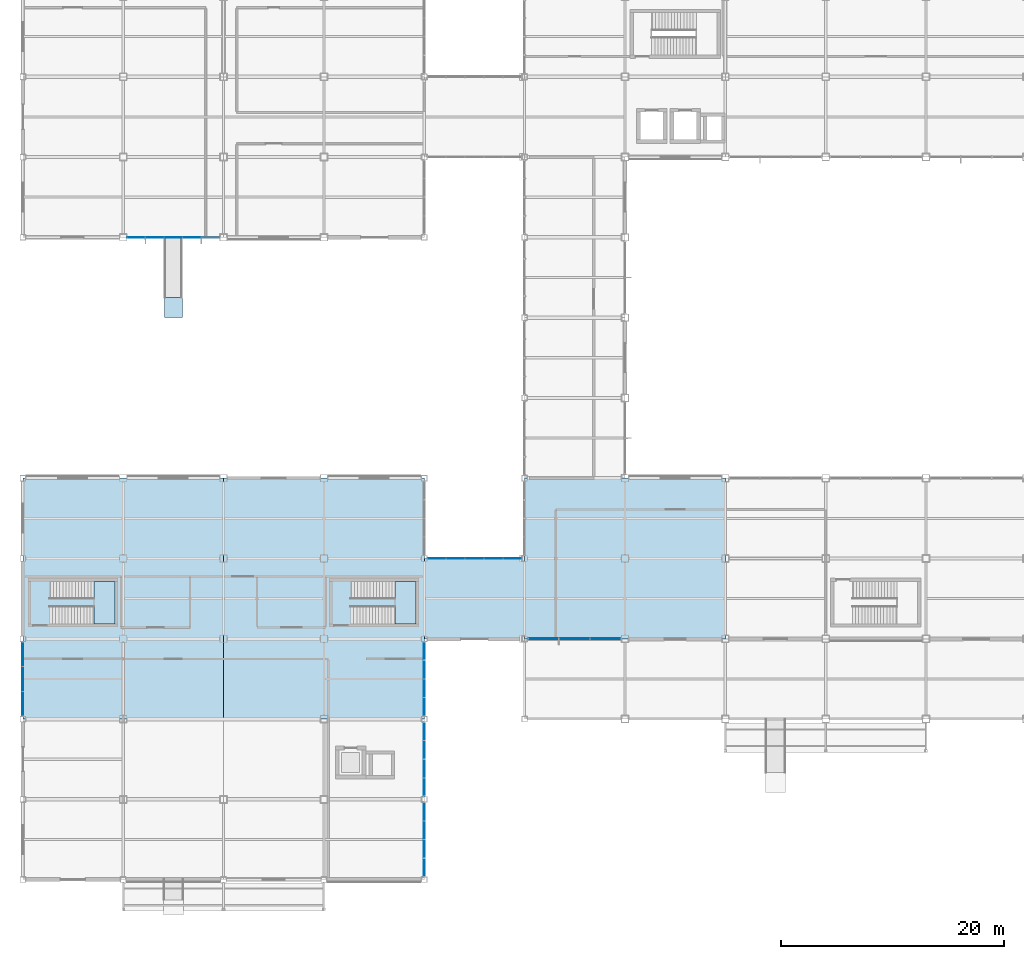
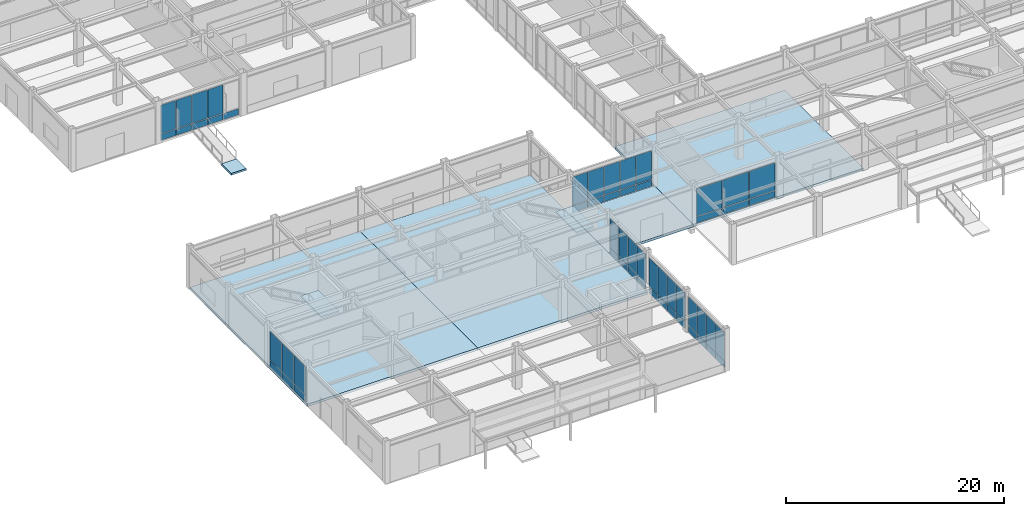
# One storey, part 79 of 112: 55 plates, 7 slabs, 10 elements without a shape of their own.
"""IFC4 building model written with IfcOpenShell, lengths in metres."""

from ifc_helpers import new_model, si_unit, direction, frame, origin, origin_2d, place, context, subcontext, project, spatial, polyline, rectangle, outline, extrude, material, layer, layer_set, type_object, element, aggregate, save


model = new_model("IFC4")

# Units and contexts
model_context = context("Model", 3, precision=1e-05, world=origin(), true_north=direction((0.0, 1.0)))
body_context = subcontext(model_context, "Body", "Model", "MODEL_VIEW")
ifc_project = project(units=[si_unit("LENGTHUNIT", "METRE"), si_unit("AREAUNIT", "SQUARE_METRE"), si_unit("VOLUMEUNIT", "CUBIC_METRE"), si_unit("PLANEANGLEUNIT", "RADIAN"), si_unit("MASSUNIT", "GRAM", prefix="KILO")], contexts=[model_context])

# Site, building, storey
site_placement = place(None, origin())
site = spatial("IfcSite", under=ifc_project, at=site_placement, CompositionType="ELEMENT")
building_placement = place(site_placement, origin())
building = spatial("IfcBuilding", under=site, at=building_placement, Name="Kazanami Central Library", CompositionType="ELEMENT")
storey_placement = place(building_placement, origin())
storey = spatial("IfcBuildingStorey", under=building, at=storey_placement, Name="L01", CompositionType="ELEMENT", Elevation=0.0)

# Curtain wall, plates
ifc_material_1 = material(Name="Acid-Etched Low-E Laminated Glass", Category="glass")
curtain_wall_type_1 = type_object("IfcCurtainWallType", Name="CW-8425x3955-M275", PredefinedType="USERDEFINED", material=ifc_material_1)
curtain_wall_1_placement = place(storey_placement, origin())
curtain_wall_1 = element("IfcCurtainWall", 1, at=curtain_wall_1_placement, inside=storey, type_object=curtain_wall_type_1, Name="Unitised Curtain Wall CW-01 L01 S-D-05", ObjectType="UNITISED CURTAIN WALL", PredefinedType="USERDEFINED")
ifc_layer_1 = layer(ifc_material_1, 0.0439453125, Name="Acid-Etched Low-E Laminated Glass")
ifc_layer_set_1 = layer_set([ifc_layer_1], Name="Acid-Etched Low-E Laminated Glass")
plate_type_1 = type_object("IfcPlateType", Name="PLT-CW-P2", PredefinedType="CURTAIN_PANEL", material=ifc_layer_set_1)
plate_1_placement = place(storey_placement, frame((46.671630859375, 21.60009765625, 0.81494140625), z_axis=(0.0, 0.0, 1.0), x_axis=(1.0, 0.0, 0.0)))
plate_1 = element("IfcPlate", 2, at=plate_1_placement, type_object=plate_type_1, Name="CW-01 panel 1.2", PredefinedType="CURTAIN_PANEL", context=body_context, shape_type="SweptSolid", body=[
    extrude(rectangle(XDim=2.703369140625, YDim=0.0439453125, at=origin_2d()), origin(), (0.0, 0.0, 1.0), 3.070068359375),
])
plate_2_placement = place(storey_placement, frame((49.46240234375, 21.60009765625, 0.81494140625), z_axis=(0.0, 0.0, 1.0), x_axis=(1.0, 0.0, 0.0)))
plate_2 = element("IfcPlate", 3, at=plate_2_placement, type_object=plate_type_1, Name="CW-01 panel 2.2", PredefinedType="CURTAIN_PANEL", context=body_context, shape_type="SweptSolid", body=[
    extrude(rectangle(XDim=2.73828125, YDim=0.0439453125, at=origin_2d()), origin(), (0.0, 0.0, 1.0), 3.070068359375),
])
plate_3_placement = place(storey_placement, frame((52.25341796875, 21.60009765625, 0.81494140625), z_axis=(0.0, 0.0, 1.0), x_axis=(1.0, 0.0, 0.0)))
plate_3 = element("IfcPlate", 4, at=plate_3_placement, type_object=plate_type_1, Name="CW-01 panel 3.2", PredefinedType="CURTAIN_PANEL", context=body_context, shape_type="SweptSolid", body=[
    extrude(rectangle(XDim=2.703369140625, YDim=0.0439453125, at=origin_2d()), origin(), (0.0, 0.0, 1.0), 3.070068359375),
])

curtain_wall_type_2 = type_object("IfcCurtainWallType", Name="CW-8350x4055-M180", PredefinedType="USERDEFINED", material=ifc_material_1)
curtain_wall_2_placement = place(storey_placement, origin())
curtain_wall_2 = element("IfcCurtainWall", 5, at=curtain_wall_2_placement, inside=storey, type_object=curtain_wall_type_2, Name="Unitised Curtain Wall CW-05 L01 S-J-01", ObjectType="UNITISED CURTAIN WALL", PredefinedType="USERDEFINED")
plate_4_placement = place(storey_placement, frame((10.175048828125, 57.60009765625, 0.81005859375), z_axis=(0.0, 0.0, 1.0), x_axis=(1.0, 0.0, 0.0)))
plate_4 = element("IfcPlate", 6, at=plate_4_placement, type_object=plate_type_1, Name="CW-05 panel 1.2", PredefinedType="CURTAIN_PANEL", context=body_context, shape_type="SweptSolid", body=[
    extrude(rectangle(XDim=1.580078125, YDim=0.0439453125, at=origin_2d()), origin(), (0.0, 0.0, 1.0), 3.18505859375),
])
plate_5_placement = place(storey_placement, frame((11.830078125, 57.60009765625, 0.81005859375), z_axis=(0.0, 0.0, 1.0), x_axis=(1.0, 0.0, 0.0)))
plate_5 = element("IfcPlate", 7, at=plate_5_placement, type_object=plate_type_1, Name="CW-05 panel 2.2", PredefinedType="CURTAIN_PANEL", context=body_context, shape_type="SweptSolid", body=[
    extrude(rectangle(XDim=1.610107421875, YDim=0.0439453125, at=origin_2d()), origin(), (0.0, 0.0, 1.0), 3.18505859375),
])
plate_6_placement = place(storey_placement, frame((13.5, 57.60009765625, 0.81005859375), z_axis=(0.0, 0.0, 1.0), x_axis=(1.0, 0.0, 0.0)))
plate_6 = element("IfcPlate", 8, at=plate_6_placement, type_object=plate_type_1, Name="CW-05 panel 3.2", PredefinedType="CURTAIN_PANEL", context=body_context, shape_type="SweptSolid", body=[
    extrude(rectangle(XDim=1.610107421875, YDim=0.0439453125, at=origin_2d()), origin(), (0.0, 0.0, 1.0), 3.18505859375),
])
plate_7_placement = place(storey_placement, frame((15.169921875, 57.60009765625, 0.81005859375), z_axis=(0.0, 0.0, 1.0), x_axis=(1.0, 0.0, 0.0)))
plate_7 = element("IfcPlate", 9, at=plate_7_placement, type_object=plate_type_1, Name="CW-05 panel 4.2", PredefinedType="CURTAIN_PANEL", context=body_context, shape_type="SweptSolid", body=[
    extrude(rectangle(XDim=1.610107421875, YDim=0.0439453125, at=origin_2d()), origin(), (0.0, 0.0, 1.0), 3.18505859375),
])

curtain_wall_type_3 = type_object("IfcCurtainWallType", Name="CW-8500x4055-M180", PredefinedType="USERDEFINED", material=ifc_material_1)
curtain_wall_3_placement = place(storey_placement, origin())
curtain_wall_3 = element("IfcCurtainWall", 10, at=curtain_wall_3_placement, inside=storey, type_object=curtain_wall_type_3, Name="Covered Link Bridge Curtain Wall CW-02 L01 N-E-04", ObjectType="UNITISED CURTAIN WALL", PredefinedType="USERDEFINED")
ifc_material_2 = material(Name="Low-E Insulated Triple Glass", Category="glass")
ifc_layer_2 = layer(ifc_material_2, 0.0400390625, Name="Low-E Insulated Triple Glass")
ifc_layer_set_2 = layer_set([ifc_layer_2], Name="Low-E Insulated Triple Glass")
plate_type_2 = type_object("IfcPlateType", Name="PLT-CW-P3", PredefinedType="CURTAIN_PANEL", material=ifc_layer_set_2)
plate_8_placement = place(storey_placement, frame((43.885009765625, 28.800048828125, 0.81005859375), z_axis=(0.0, 0.0, 1.0), x_axis=(-1.0, 0.0, 0.0)))
plate_8 = element("IfcPlate", 11, at=plate_8_placement, type_object=plate_type_2, Name="CW-02 panel 1.2", PredefinedType="CURTAIN_PANEL", context=body_context, shape_type="SweptSolid", body=[
    extrude(rectangle(XDim=1.610107421875, YDim=0.0400390625, at=origin_2d()), origin(), (0.0, 0.0, 1.0), 3.18505859375),
])
plate_9_placement = place(storey_placement, frame((42.199951171875, 28.800048828125, 0.81005859375), z_axis=(0.0, 0.0, 1.0), x_axis=(-1.0, 0.0, 0.0)))
plate_9 = element("IfcPlate", 12, at=plate_9_placement, type_object=plate_type_2, Name="CW-02 panel 2.2", PredefinedType="CURTAIN_PANEL", context=body_context, shape_type="SweptSolid", body=[
    extrude(rectangle(XDim=1.639892578125, YDim=0.0400390625, at=origin_2d()), origin(), (0.0, 0.0, 1.0), 3.18505859375),
])
plate_10_placement = place(storey_placement, frame((40.5, 28.800048828125, 0.81005859375), z_axis=(0.0, 0.0, 1.0), x_axis=(-1.0, 0.0, 0.0)))
plate_10 = element("IfcPlate", 13, at=plate_10_placement, type_object=plate_type_2, Name="CW-02 panel 3.2", PredefinedType="CURTAIN_PANEL", context=body_context, shape_type="SweptSolid", body=[
    extrude(rectangle(XDim=1.639892578125, YDim=0.0400390625, at=origin_2d()), origin(), (0.0, 0.0, 1.0), 3.18505859375),
])
plate_11_placement = place(storey_placement, frame((38.800048828125, 28.800048828125, 0.81005859375), z_axis=(0.0, 0.0, 1.0), x_axis=(-1.0, 0.0, 0.0)))
plate_11 = element("IfcPlate", 14, at=plate_11_placement, type_object=plate_type_2, Name="CW-02 panel 4.2", PredefinedType="CURTAIN_PANEL", context=body_context, shape_type="SweptSolid", body=[
    extrude(rectangle(XDim=1.639892578125, YDim=0.0400390625, at=origin_2d()), origin(), (0.0, 0.0, 1.0), 3.18505859375),
])
plate_12_placement = place(storey_placement, frame((37.114990234375, 28.800048828125, 0.81005859375), z_axis=(0.0, 0.0, 1.0), x_axis=(-1.0, 0.0, 0.0)))
plate_12 = element("IfcPlate", 15, at=plate_12_placement, type_object=plate_type_2, Name="CW-02 panel 5.2", PredefinedType="CURTAIN_PANEL", context=body_context, shape_type="SweptSolid", body=[
    extrude(rectangle(XDim=1.610107421875, YDim=0.0400390625, at=origin_2d()), origin(), (0.0, 0.0, 1.0), 3.18505859375),
])

curtain_wall_type_4 = type_object("IfcCurtainWallType", Name="CW-6700x4055-M225", PredefinedType="USERDEFINED", material=ifc_material_1)
curtain_wall_4_placement = place(storey_placement, origin())
curtain_wall_4 = element("IfcCurtainWall", 16, at=curtain_wall_4_placement, inside=storey, type_object=curtain_wall_type_4, Name="Unitised Curtain Wall CW-08 L01 W-1-02", ObjectType="UNITISED CURTAIN WALL", PredefinedType="USERDEFINED")
plate_13_placement = place(storey_placement, frame((0.0, 15.782958984375, 0.8125), z_axis=(0.0, 0.0, 1.0), x_axis=(0.0, 1.0, 0.0)))
plate_13 = element("IfcPlate", 17, at=plate_13_placement, type_object=plate_type_2, Name="CW-08 panel 1.2", PredefinedType="CURTAIN_PANEL", context=body_context, shape_type="SweptSolid", body=[
    extrude(rectangle(XDim=2.1357421875, YDim=0.0400390625, at=origin_2d()), origin(), (0.0, 0.0, 1.0), 3.177490234375),
])
plate_14_placement = place(storey_placement, frame((0.0, 18.0, 0.8125), z_axis=(0.0, 0.0, 1.0), x_axis=(0.0, 1.0, 0.0)))
plate_14 = element("IfcPlate", 18, at=plate_14_placement, type_object=plate_type_2, Name="CW-08 panel 2.2", PredefinedType="CURTAIN_PANEL", context=body_context, shape_type="SweptSolid", body=[
    extrude(rectangle(XDim=2.168212890625, YDim=0.0400390625, at=origin_2d()), origin(), (0.0, 0.0, 1.0), 3.177490234375),
])
plate_15_placement = place(storey_placement, frame((0.0, 20.217041015625, 0.8125), z_axis=(0.0, 0.0, 1.0), x_axis=(0.0, 1.0, 0.0)))
plate_15 = element("IfcPlate", 19, at=plate_15_placement, type_object=plate_type_2, Name="CW-08 panel 3.2", PredefinedType="CURTAIN_PANEL", context=body_context, shape_type="SweptSolid", body=[
    extrude(rectangle(XDim=2.1357421875, YDim=0.0400390625, at=origin_2d()), origin(), (0.0, 0.0, 1.0), 3.177490234375),
])

curtain_wall_type_5 = type_object("IfcCurtainWallType", Name="CW-6700x4055-M180", PredefinedType="USERDEFINED", material=ifc_material_1)
curtain_wall_5_placement = place(storey_placement, origin())
curtain_wall_5 = element("IfcCurtainWall", 20, at=curtain_wall_5_placement, inside=storey, type_object=curtain_wall_type_5, Name="Covered Link Bridge Curtain Wall CW-09 L01 E-5-00", ObjectType="UNITISED CURTAIN WALL", PredefinedType="USERDEFINED")
plate_16_placement = place(storey_placement, frame((36.0, 6.097412109375, 0.81005859375), z_axis=(0.0, 0.0, 1.0), x_axis=(0.0, -1.0, 0.0)))
plate_16 = element("IfcPlate", 21, at=plate_16_placement, type_object=plate_type_2, Name="CW-09 panel 1.2", PredefinedType="CURTAIN_PANEL", context=body_context, shape_type="SweptSolid", body=[
    extrude(rectangle(XDim=1.5849609375, YDim=0.0400390625, at=origin_2d()), origin(), (0.0, 0.0, 1.0), 3.18505859375),
])
plate_17_placement = place(storey_placement, frame((36.0, 4.4375, 0.81005859375), z_axis=(0.0, 0.0, 1.0), x_axis=(0.0, -1.0, 0.0)))
plate_17 = element("IfcPlate", 22, at=plate_17_placement, type_object=plate_type_2, Name="CW-09 panel 2.2", PredefinedType="CURTAIN_PANEL", context=body_context, shape_type="SweptSolid", body=[
    extrude(rectangle(XDim=1.614990234375, YDim=0.0400390625, at=origin_2d()), origin(), (0.0, 0.0, 1.0), 3.18505859375),
])
plate_18_placement = place(storey_placement, frame((36.0, 2.762451171875, 0.81005859375), z_axis=(0.0, 0.0, 1.0), x_axis=(0.0, -1.0, 0.0)))
plate_18 = element("IfcPlate", 23, at=plate_18_placement, type_object=plate_type_2, Name="CW-09 panel 3.2", PredefinedType="CURTAIN_PANEL", context=body_context, shape_type="SweptSolid", body=[
    extrude(rectangle(XDim=1.614990234375, YDim=0.0400390625, at=origin_2d()), origin(), (0.0, 0.0, 1.0), 3.18505859375),
])
plate_19_placement = place(storey_placement, frame((36.0, 1.1025390625, 0.81005859375), z_axis=(0.0, 0.0, 1.0), x_axis=(0.0, -1.0, 0.0)))
plate_19 = element("IfcPlate", 24, at=plate_19_placement, type_object=plate_type_2, Name="CW-09 panel 4.2", PredefinedType="CURTAIN_PANEL", context=body_context, shape_type="SweptSolid", body=[
    extrude(rectangle(XDim=1.5849609375, YDim=0.0400390625, at=origin_2d()), origin(), (0.0, 0.0, 1.0), 3.18505859375),
])

curtain_wall_6_placement = place(storey_placement, origin())
curtain_wall_6 = element("IfcCurtainWall", 25, at=curtain_wall_6_placement, inside=storey, type_object=curtain_wall_type_5, Name="Covered Link Bridge Curtain Wall CW-09 L01 E-5-01", ObjectType="UNITISED CURTAIN WALL", PredefinedType="USERDEFINED")
plate_20_placement = place(storey_placement, frame((36.0, 13.297607421875, 0.81005859375), z_axis=(0.0, 0.0, 1.0), x_axis=(0.0, -1.0, 0.0)))
plate_20 = element("IfcPlate", 26, at=plate_20_placement, type_object=plate_type_2, Name="CW-09 panel 1.2", PredefinedType="CURTAIN_PANEL", context=body_context, shape_type="SweptSolid", body=[
    extrude(rectangle(XDim=1.5849609375, YDim=0.0400390625, at=origin_2d()), origin(), (0.0, 0.0, 1.0), 3.18505859375),
])
plate_21_placement = place(storey_placement, frame((36.0, 11.637451171875, 0.81005859375), z_axis=(0.0, 0.0, 1.0), x_axis=(0.0, -1.0, 0.0)))
plate_21 = element("IfcPlate", 27, at=plate_21_placement, type_object=plate_type_2, Name="CW-09 panel 2.2", PredefinedType="CURTAIN_PANEL", context=body_context, shape_type="SweptSolid", body=[
    extrude(rectangle(XDim=1.614990234375, YDim=0.0400390625, at=origin_2d()), origin(), (0.0, 0.0, 1.0), 3.18505859375),
])
plate_22_placement = place(storey_placement, frame((36.0, 9.96240234375, 0.81005859375), z_axis=(0.0, 0.0, 1.0), x_axis=(0.0, -1.0, 0.0)))
plate_22 = element("IfcPlate", 28, at=plate_22_placement, type_object=plate_type_2, Name="CW-09 panel 3.2", PredefinedType="CURTAIN_PANEL", context=body_context, shape_type="SweptSolid", body=[
    extrude(rectangle(XDim=1.614990234375, YDim=0.0400390625, at=origin_2d()), origin(), (0.0, 0.0, 1.0), 3.18505859375),
])
plate_23_placement = place(storey_placement, frame((36.0, 8.302490234375, 0.81005859375), z_axis=(0.0, 0.0, 1.0), x_axis=(0.0, -1.0, 0.0)))
plate_23 = element("IfcPlate", 29, at=plate_23_placement, type_object=plate_type_2, Name="CW-09 panel 4.2", PredefinedType="CURTAIN_PANEL", context=body_context, shape_type="SweptSolid", body=[
    extrude(rectangle(XDim=1.5849609375, YDim=0.0400390625, at=origin_2d()), origin(), (0.0, 0.0, 1.0), 3.18505859375),
])

curtain_wall_7_placement = place(storey_placement, origin())
curtain_wall_7 = element("IfcCurtainWall", 30, at=curtain_wall_7_placement, inside=storey, type_object=curtain_wall_type_5, Name="Covered Link Bridge Curtain Wall CW-09 L01 E-5-02", ObjectType="UNITISED CURTAIN WALL", PredefinedType="USERDEFINED")
plate_24_placement = place(storey_placement, frame((36.0, 20.49755859375, 0.81005859375), z_axis=(0.0, 0.0, 1.0), x_axis=(0.0, -1.0, 0.0)))
plate_24 = element("IfcPlate", 31, at=plate_24_placement, type_object=plate_type_2, Name="CW-09 panel 1.2", PredefinedType="CURTAIN_PANEL", context=body_context, shape_type="SweptSolid", body=[
    extrude(rectangle(XDim=1.5849609375, YDim=0.0400390625, at=origin_2d()), origin(), (0.0, 0.0, 1.0), 3.18505859375),
])
plate_25_placement = place(storey_placement, frame((36.0, 18.83740234375, 0.81005859375), z_axis=(0.0, 0.0, 1.0), x_axis=(0.0, -1.0, 0.0)))
plate_25 = element("IfcPlate", 32, at=plate_25_placement, type_object=plate_type_2, Name="CW-09 panel 2.2", PredefinedType="CURTAIN_PANEL", context=body_context, shape_type="SweptSolid", body=[
    extrude(rectangle(XDim=1.614990234375, YDim=0.0400390625, at=origin_2d()), origin(), (0.0, 0.0, 1.0), 3.18505859375),
])
plate_26_placement = place(storey_placement, frame((36.0, 17.16259765625, 0.81005859375), z_axis=(0.0, 0.0, 1.0), x_axis=(0.0, -1.0, 0.0)))
plate_26 = element("IfcPlate", 33, at=plate_26_placement, type_object=plate_type_2, Name="CW-09 panel 3.2", PredefinedType="CURTAIN_PANEL", context=body_context, shape_type="SweptSolid", body=[
    extrude(rectangle(XDim=1.614990234375, YDim=0.0400390625, at=origin_2d()), origin(), (0.0, 0.0, 1.0), 3.18505859375),
])
plate_27_placement = place(storey_placement, frame((36.0, 15.50244140625, 0.81005859375), z_axis=(0.0, 0.0, 1.0), x_axis=(0.0, -1.0, 0.0)))
plate_27 = element("IfcPlate", 34, at=plate_27_placement, type_object=plate_type_2, Name="CW-09 panel 4.2", PredefinedType="CURTAIN_PANEL", context=body_context, shape_type="SweptSolid", body=[
    extrude(rectangle(XDim=1.5849609375, YDim=0.0400390625, at=origin_2d()), origin(), (0.0, 0.0, 1.0), 3.18505859375),
])

# Plate
ifc_material_3 = material(Name="Anodised Aluminium A5052-H32", Category="aluminium")
ifc_layer_3 = layer(ifc_material_3, 0.06005859375, Name="Anodised Aluminium A5052-H32")
ifc_layer_set_3 = layer_set([ifc_layer_3], Name="Anodised Aluminium A5052-H32")
plate_type_3 = type_object("IfcPlateType", Name="PLT-CW-SP1", PredefinedType="CURTAIN_PANEL", material=ifc_layer_set_3)
plate_28_placement = place(storey_placement, frame((46.671630859375, 21.60009765625, 0.06982421875), z_axis=(0.0, 0.0, 1.0), x_axis=(1.0, 0.0, 0.0)))
plate_28 = element("IfcPlate", 35, at=plate_28_placement, type_object=plate_type_3, Name="CW-01 panel 1.1", PredefinedType="CURTAIN_PANEL", context=body_context, shape_type="SweptSolid", body=[
    extrude(rectangle(XDim=2.703369140625, YDim=0.06005859375, at=origin_2d()), origin(), (0.0, 0.0, 1.0), 0.675048828125),
])

plate_29_placement = place(storey_placement, frame((49.46240234375, 21.60009765625, 0.06982421875), z_axis=(0.0, 0.0, 1.0), x_axis=(1.0, 0.0, 0.0)))
plate_29 = element("IfcPlate", 36, at=plate_29_placement, type_object=plate_type_3, Name="CW-01 panel 2.1", PredefinedType="CURTAIN_PANEL", context=body_context, shape_type="SweptSolid", body=[
    extrude(rectangle(XDim=2.73828125, YDim=0.06005859375, at=origin_2d()), origin(), (0.0, 0.0, 1.0), 0.675048828125),
])

plate_30_placement = place(storey_placement, frame((52.25341796875, 21.60009765625, 0.06982421875), z_axis=(0.0, 0.0, 1.0), x_axis=(1.0, 0.0, 0.0)))
plate_30 = element("IfcPlate", 37, at=plate_30_placement, type_object=plate_type_3, Name="CW-01 panel 3.1", PredefinedType="CURTAIN_PANEL", context=body_context, shape_type="SweptSolid", body=[
    extrude(rectangle(XDim=2.703369140625, YDim=0.06005859375, at=origin_2d()), origin(), (0.0, 0.0, 1.0), 0.675048828125),
])

aggregate(curtain_wall_1, [plate_28, plate_1, plate_29, plate_2, plate_30, plate_3])

ifc_layer_4 = layer(ifc_material_3, 0.052001953125, Name="Anodised Aluminium A5052-H32")
ifc_layer_set_4 = layer_set([ifc_layer_4], Name="Anodised Aluminium A5052-H32")
plate_type_4 = type_object("IfcPlateType", Name="PLT-CW-SP2", PredefinedType="CURTAIN_PANEL", material=ifc_layer_set_4)
plate_31_placement = place(storey_placement, frame((43.885009765625, 28.800048828125, 0.06005859375), z_axis=(0.0, 0.0, 1.0), x_axis=(-1.0, 0.0, 0.0)))
plate_31 = element("IfcPlate", 38, at=plate_31_placement, type_object=plate_type_4, Name="CW-02 panel 1.1", PredefinedType="CURTAIN_PANEL", context=body_context, shape_type="SweptSolid", body=[
    extrude(rectangle(XDim=1.610107421875, YDim=0.052001953125, at=origin_2d()), origin(), (0.0, 0.0, 1.0), 0.68994140625),
])

plate_32_placement = place(storey_placement, frame((42.199951171875, 28.800048828125, 0.06005859375), z_axis=(0.0, 0.0, 1.0), x_axis=(-1.0, 0.0, 0.0)))
plate_32 = element("IfcPlate", 39, at=plate_32_placement, type_object=plate_type_4, Name="CW-02 panel 2.1", PredefinedType="CURTAIN_PANEL", context=body_context, shape_type="SweptSolid", body=[
    extrude(rectangle(XDim=1.639892578125, YDim=0.052001953125, at=origin_2d()), origin(), (0.0, 0.0, 1.0), 0.68994140625),
])

plate_33_placement = place(storey_placement, frame((40.5, 28.800048828125, 0.06005859375), z_axis=(0.0, 0.0, 1.0), x_axis=(-1.0, 0.0, 0.0)))
plate_33 = element("IfcPlate", 40, at=plate_33_placement, type_object=plate_type_4, Name="CW-02 panel 3.1", PredefinedType="CURTAIN_PANEL", context=body_context, shape_type="SweptSolid", body=[
    extrude(rectangle(XDim=1.639892578125, YDim=0.052001953125, at=origin_2d()), origin(), (0.0, 0.0, 1.0), 0.68994140625),
])

plate_34_placement = place(storey_placement, frame((38.800048828125, 28.800048828125, 0.06005859375), z_axis=(0.0, 0.0, 1.0), x_axis=(-1.0, 0.0, 0.0)))
plate_34 = element("IfcPlate", 41, at=plate_34_placement, type_object=plate_type_4, Name="CW-02 panel 4.1", PredefinedType="CURTAIN_PANEL", context=body_context, shape_type="SweptSolid", body=[
    extrude(rectangle(XDim=1.639892578125, YDim=0.052001953125, at=origin_2d()), origin(), (0.0, 0.0, 1.0), 0.68994140625),
])

plate_35_placement = place(storey_placement, frame((37.114990234375, 28.800048828125, 0.06005859375), z_axis=(0.0, 0.0, 1.0), x_axis=(-1.0, 0.0, 0.0)))
plate_35 = element("IfcPlate", 42, at=plate_35_placement, type_object=plate_type_4, Name="CW-02 panel 5.1", PredefinedType="CURTAIN_PANEL", context=body_context, shape_type="SweptSolid", body=[
    extrude(rectangle(XDim=1.610107421875, YDim=0.052001953125, at=origin_2d()), origin(), (0.0, 0.0, 1.0), 0.68994140625),
])

aggregate(curtain_wall_3, [plate_31, plate_8, plate_32, plate_9, plate_33, plate_10, plate_34, plate_11, plate_35, plate_12])

plate_36_placement = place(storey_placement, frame((0.0, 15.782958984375, 0.06494140625), z_axis=(0.0, 0.0, 1.0), x_axis=(0.0, 1.0, 0.0)))
plate_36 = element("IfcPlate", 43, at=plate_36_placement, type_object=plate_type_4, Name="CW-08 panel 1.1", PredefinedType="CURTAIN_PANEL", context=body_context, shape_type="SweptSolid", body=[
    extrude(rectangle(XDim=2.1357421875, YDim=0.052001953125, at=origin_2d()), origin(), (0.0, 0.0, 1.0), 0.6826171875),
])

plate_37_placement = place(storey_placement, frame((0.0, 18.0, 0.06494140625), z_axis=(0.0, 0.0, 1.0), x_axis=(0.0, 1.0, 0.0)))
plate_37 = element("IfcPlate", 44, at=plate_37_placement, type_object=plate_type_4, Name="CW-08 panel 2.1", PredefinedType="CURTAIN_PANEL", context=body_context, shape_type="SweptSolid", body=[
    extrude(rectangle(XDim=2.168212890625, YDim=0.052001953125, at=origin_2d()), origin(), (0.0, 0.0, 1.0), 0.6826171875),
])

plate_38_placement = place(storey_placement, frame((0.0, 20.217041015625, 0.06494140625), z_axis=(0.0, 0.0, 1.0), x_axis=(0.0, 1.0, 0.0)))
plate_38 = element("IfcPlate", 45, at=plate_38_placement, type_object=plate_type_4, Name="CW-08 panel 3.1", PredefinedType="CURTAIN_PANEL", context=body_context, shape_type="SweptSolid", body=[
    extrude(rectangle(XDim=2.1357421875, YDim=0.052001953125, at=origin_2d()), origin(), (0.0, 0.0, 1.0), 0.6826171875),
])

aggregate(curtain_wall_4, [plate_36, plate_13, plate_37, plate_14, plate_38, plate_15])

plate_39_placement = place(storey_placement, frame((36.0, 6.097412109375, 0.06005859375), z_axis=(0.0, 0.0, 1.0), x_axis=(0.0, -1.0, 0.0)))
plate_39 = element("IfcPlate", 46, at=plate_39_placement, type_object=plate_type_4, Name="CW-09 panel 1.1", PredefinedType="CURTAIN_PANEL", context=body_context, shape_type="SweptSolid", body=[
    extrude(rectangle(XDim=1.5849609375, YDim=0.052001953125, at=origin_2d()), origin(), (0.0, 0.0, 1.0), 0.68994140625),
])

plate_40_placement = place(storey_placement, frame((36.0, 4.4375, 0.06005859375), z_axis=(0.0, 0.0, 1.0), x_axis=(0.0, -1.0, 0.0)))
plate_40 = element("IfcPlate", 47, at=plate_40_placement, type_object=plate_type_4, Name="CW-09 panel 2.1", PredefinedType="CURTAIN_PANEL", context=body_context, shape_type="SweptSolid", body=[
    extrude(rectangle(XDim=1.614990234375, YDim=0.052001953125, at=origin_2d()), origin(), (0.0, 0.0, 1.0), 0.68994140625),
])

plate_41_placement = place(storey_placement, frame((36.0, 2.762451171875, 0.06005859375), z_axis=(0.0, 0.0, 1.0), x_axis=(0.0, -1.0, 0.0)))
plate_41 = element("IfcPlate", 48, at=plate_41_placement, type_object=plate_type_4, Name="CW-09 panel 3.1", PredefinedType="CURTAIN_PANEL", context=body_context, shape_type="SweptSolid", body=[
    extrude(rectangle(XDim=1.614990234375, YDim=0.052001953125, at=origin_2d()), origin(), (0.0, 0.0, 1.0), 0.68994140625),
])

plate_42_placement = place(storey_placement, frame((36.0, 1.1025390625, 0.06005859375), z_axis=(0.0, 0.0, 1.0), x_axis=(0.0, -1.0, 0.0)))
plate_42 = element("IfcPlate", 49, at=plate_42_placement, type_object=plate_type_4, Name="CW-09 panel 4.1", PredefinedType="CURTAIN_PANEL", context=body_context, shape_type="SweptSolid", body=[
    extrude(rectangle(XDim=1.5849609375, YDim=0.052001953125, at=origin_2d()), origin(), (0.0, 0.0, 1.0), 0.68994140625),
])

aggregate(curtain_wall_5, [plate_39, plate_16, plate_40, plate_17, plate_41, plate_18, plate_42, plate_19])

plate_43_placement = place(storey_placement, frame((36.0, 13.297607421875, 0.06005859375), z_axis=(0.0, 0.0, 1.0), x_axis=(0.0, -1.0, 0.0)))
plate_43 = element("IfcPlate", 50, at=plate_43_placement, type_object=plate_type_4, Name="CW-09 panel 1.1", PredefinedType="CURTAIN_PANEL", context=body_context, shape_type="SweptSolid", body=[
    extrude(rectangle(XDim=1.5849609375, YDim=0.052001953125, at=origin_2d()), origin(), (0.0, 0.0, 1.0), 0.68994140625),
])

plate_44_placement = place(storey_placement, frame((36.0, 11.637451171875, 0.06005859375), z_axis=(0.0, 0.0, 1.0), x_axis=(0.0, -1.0, 0.0)))
plate_44 = element("IfcPlate", 51, at=plate_44_placement, type_object=plate_type_4, Name="CW-09 panel 2.1", PredefinedType="CURTAIN_PANEL", context=body_context, shape_type="SweptSolid", body=[
    extrude(rectangle(XDim=1.614990234375, YDim=0.052001953125, at=origin_2d()), origin(), (0.0, 0.0, 1.0), 0.68994140625),
])

plate_45_placement = place(storey_placement, frame((36.0, 9.96240234375, 0.06005859375), z_axis=(0.0, 0.0, 1.0), x_axis=(0.0, -1.0, 0.0)))
plate_45 = element("IfcPlate", 52, at=plate_45_placement, type_object=plate_type_4, Name="CW-09 panel 3.1", PredefinedType="CURTAIN_PANEL", context=body_context, shape_type="SweptSolid", body=[
    extrude(rectangle(XDim=1.614990234375, YDim=0.052001953125, at=origin_2d()), origin(), (0.0, 0.0, 1.0), 0.68994140625),
])

plate_46_placement = place(storey_placement, frame((36.0, 8.302490234375, 0.06005859375), z_axis=(0.0, 0.0, 1.0), x_axis=(0.0, -1.0, 0.0)))
plate_46 = element("IfcPlate", 53, at=plate_46_placement, type_object=plate_type_4, Name="CW-09 panel 4.1", PredefinedType="CURTAIN_PANEL", context=body_context, shape_type="SweptSolid", body=[
    extrude(rectangle(XDim=1.5849609375, YDim=0.052001953125, at=origin_2d()), origin(), (0.0, 0.0, 1.0), 0.68994140625),
])

aggregate(curtain_wall_6, [plate_43, plate_20, plate_44, plate_21, plate_45, plate_22, plate_46, plate_23])

plate_47_placement = place(storey_placement, frame((36.0, 20.49755859375, 0.06005859375), z_axis=(0.0, 0.0, 1.0), x_axis=(0.0, -1.0, 0.0)))
plate_47 = element("IfcPlate", 54, at=plate_47_placement, type_object=plate_type_4, Name="CW-09 panel 1.1", PredefinedType="CURTAIN_PANEL", context=body_context, shape_type="SweptSolid", body=[
    extrude(rectangle(XDim=1.5849609375, YDim=0.052001953125, at=origin_2d()), origin(), (0.0, 0.0, 1.0), 0.68994140625),
])

plate_48_placement = place(storey_placement, frame((36.0, 18.83740234375, 0.06005859375), z_axis=(0.0, 0.0, 1.0), x_axis=(0.0, -1.0, 0.0)))
plate_48 = element("IfcPlate", 55, at=plate_48_placement, type_object=plate_type_4, Name="CW-09 panel 2.1", PredefinedType="CURTAIN_PANEL", context=body_context, shape_type="SweptSolid", body=[
    extrude(rectangle(XDim=1.614990234375, YDim=0.052001953125, at=origin_2d()), origin(), (0.0, 0.0, 1.0), 0.68994140625),
])

plate_49_placement = place(storey_placement, frame((36.0, 17.16259765625, 0.06005859375), z_axis=(0.0, 0.0, 1.0), x_axis=(0.0, -1.0, 0.0)))
plate_49 = element("IfcPlate", 56, at=plate_49_placement, type_object=plate_type_4, Name="CW-09 panel 3.1", PredefinedType="CURTAIN_PANEL", context=body_context, shape_type="SweptSolid", body=[
    extrude(rectangle(XDim=1.614990234375, YDim=0.052001953125, at=origin_2d()), origin(), (0.0, 0.0, 1.0), 0.68994140625),
])

plate_50_placement = place(storey_placement, frame((36.0, 15.50244140625, 0.06005859375), z_axis=(0.0, 0.0, 1.0), x_axis=(0.0, -1.0, 0.0)))
plate_50 = element("IfcPlate", 57, at=plate_50_placement, type_object=plate_type_4, Name="CW-09 panel 4.1", PredefinedType="CURTAIN_PANEL", context=body_context, shape_type="SweptSolid", body=[
    extrude(rectangle(XDim=1.5849609375, YDim=0.052001953125, at=origin_2d()), origin(), (0.0, 0.0, 1.0), 0.68994140625),
])

aggregate(curtain_wall_7, [plate_47, plate_24, plate_48, plate_25, plate_49, plate_26, plate_50, plate_27])

ifc_layer_5 = layer(ifc_material_3, 0.048095703125, Name="Anodised Aluminium A5052-H32")
ifc_layer_set_5 = layer_set([ifc_layer_5], Name="Anodised Aluminium A5052-H32")
plate_type_5 = type_object("IfcPlateType", Name="PLT-CW-SP3", PredefinedType="CURTAIN_PANEL", material=ifc_layer_set_5)
plate_51_placement = place(storey_placement, frame((10.175048828125, 57.60009765625, 0.06005859375), z_axis=(0.0, 0.0, 1.0), x_axis=(1.0, 0.0, 0.0)))
plate_51 = element("IfcPlate", 58, at=plate_51_placement, type_object=plate_type_5, Name="CW-05 panel 1.1", PredefinedType="CURTAIN_PANEL", context=body_context, shape_type="SweptSolid", body=[
    extrude(rectangle(XDim=1.580078125, YDim=0.048095703125, at=origin_2d()), origin(), (0.0, 0.0, 1.0), 0.68994140625),
])

plate_52_placement = place(storey_placement, frame((11.830078125, 57.60009765625, 0.06005859375), z_axis=(0.0, 0.0, 1.0), x_axis=(1.0, 0.0, 0.0)))
plate_52 = element("IfcPlate", 59, at=plate_52_placement, type_object=plate_type_5, Name="CW-05 panel 2.1", PredefinedType="CURTAIN_PANEL", context=body_context, shape_type="SweptSolid", body=[
    extrude(rectangle(XDim=1.610107421875, YDim=0.048095703125, at=origin_2d()), origin(), (0.0, 0.0, 1.0), 0.68994140625),
])

plate_53_placement = place(storey_placement, frame((13.5, 57.60009765625, 0.06005859375), z_axis=(0.0, 0.0, 1.0), x_axis=(1.0, 0.0, 0.0)))
plate_53 = element("IfcPlate", 60, at=plate_53_placement, type_object=plate_type_5, Name="CW-05 panel 3.1", PredefinedType="CURTAIN_PANEL", context=body_context, shape_type="SweptSolid", body=[
    extrude(rectangle(XDim=1.610107421875, YDim=0.048095703125, at=origin_2d()), origin(), (0.0, 0.0, 1.0), 0.68994140625),
])

plate_54_placement = place(storey_placement, frame((15.169921875, 57.60009765625, 0.06005859375), z_axis=(0.0, 0.0, 1.0), x_axis=(1.0, 0.0, 0.0)))
plate_54 = element("IfcPlate", 61, at=plate_54_placement, type_object=plate_type_5, Name="CW-05 panel 4.1", PredefinedType="CURTAIN_PANEL", context=body_context, shape_type="SweptSolid", body=[
    extrude(rectangle(XDim=1.610107421875, YDim=0.048095703125, at=origin_2d()), origin(), (0.0, 0.0, 1.0), 0.68994140625),
])

plate_55_placement = place(storey_placement, frame((16.824951171875, 57.60009765625, 0.06005859375), z_axis=(0.0, 0.0, 1.0), x_axis=(1.0, 0.0, 0.0)))
plate_55 = element("IfcPlate", 62, at=plate_55_placement, type_object=plate_type_5, Name="CW-05 panel 5.1", PredefinedType="CURTAIN_PANEL", context=body_context, shape_type="SweptSolid", body=[
    extrude(rectangle(XDim=1.580078125, YDim=0.048095703125, at=origin_2d()), origin(), (0.0, 0.0, 1.0), 0.68994140625),
])

aggregate(curtain_wall_2, [plate_51, plate_4, plate_52, plate_5, plate_53, plate_6, plate_54, plate_7, plate_55])

# Slabs
ifc_material_4 = material(Name="Concrete Fc36 (36 MPa)", Category="concrete")
ifc_layer_6 = layer(ifc_material_4, 0.27490234375, Name="Concrete Fc36 (36 MPa)")
ifc_layer_set_6 = layer_set([ifc_layer_6], Name="Concrete Fc36 (36 MPa)")
slab_type_1 = type_object("IfcSlabType", Name="SLB-FLR-275", PredefinedType="FLOOR", material=ifc_layer_set_6)
slab_1_placement = place(storey_placement, frame((0.0, 0.0, -0.27490234375)))
element("IfcSlab", 63, at=slab_1_placement, inside=storey, type_object=slab_type_1, Name="Composite Floor Slab L01 V3-PAV Zone 2", PredefinedType="FLOOR", context=body_context, shape_type="SweptSolid", body=[
    extrude(outline(polyline([(0.0, 14.39990234375), (18.0, 14.39990234375), (18.0, 36.0), (0.0, 36.0), (0.0, 14.39990234375)])), origin(), (0.0, 0.0, 1.0), 0.27490234375),
])
slab_2_placement = place(storey_placement, frame((0.0, 0.0, -0.27490234375)))
element("IfcSlab", 64, at=slab_2_placement, inside=storey, type_object=slab_type_1, Name="Composite Floor Slab L01 V3-PAV Zone 4", PredefinedType="FLOOR", context=body_context, shape_type="SweptSolid", body=[
    extrude(outline(polyline([(18.0, 14.39990234375), (36.0, 14.39990234375), (36.0, 36.0), (18.0, 36.0), (18.0, 14.39990234375)])), origin(), (0.0, 0.0, 1.0), 0.27490234375),
])
slab_3_placement = place(storey_placement, frame((0.0, 0.0, -0.27490234375)))
element("IfcSlab", 65, at=slab_3_placement, inside=storey, type_object=slab_type_1, Name="Covered Seismic-Joint Link Bridge Slab L01 BRG-WS", PredefinedType="FLOOR", context=body_context, shape_type="SweptSolid", body=[
    extrude(outline(polyline([(36.0, 21.60009765625), (45.0, 21.60009765625), (45.0, 28.800048828125), (36.0, 28.800048828125), (36.0, 21.60009765625)])), origin(), (0.0, 0.0, 1.0), 0.27490234375),
])
slab_4_placement = place(storey_placement, frame((0.0, 0.0, -0.27490234375)))
element("IfcSlab", 66, at=slab_4_placement, inside=storey, type_object=slab_type_1, Name="Composite Floor Slab L01 V1-SOUTH Zone 13", PredefinedType="FLOOR", context=body_context, shape_type="SweptSolid", body=[
    extrude(outline(polyline([(45.0, 21.60009765625), (63.0, 21.60009765625), (63.0, 36.0), (45.0, 36.0), (45.0, 21.60009765625)])), origin(), (0.0, 0.0, 1.0), 0.27490234375),
])

# Stair, slab
stair_type = type_object("IfcStairType", Name="STR-P48", PredefinedType="HALF_TURN_STAIR", material=ifc_material_4)
stair_1_placement = place(storey_placement, origin())
stair_1 = element("IfcStair", 67, at=stair_1_placement, inside=storey, type_object=stair_type, Name="Enclosed Escape Stair ST-07 (L01)", PredefinedType="HALF_TURN_STAIR")
ifc_layer_7 = layer(ifc_material_4, 0.179931640625, Name="Concrete Fc36 (36 MPa)")
ifc_layer_set_7 = layer_set([ifc_layer_7], Name="Concrete Fc36 (36 MPa)")
slab_type_2 = type_object("IfcSlabType", Name="SLB-LND-180", PredefinedType="LANDING", material=ifc_layer_set_7)
slab_5_placement = place(storey_placement, frame((0.0, 0.0, 2.219970703125)))
slab_5 = element("IfcSlab", 68, at=slab_5_placement, type_object=slab_type_2, Name="ST-07 landing 1", PredefinedType="LANDING", context=body_context, shape_type="SweptSolid", body=[
    extrude(outline(polyline([(6.387939453125, 22.949951171875), (8.25, 22.949951171875), (8.25, 26.75), (6.387939453125, 26.75), (6.387939453125, 22.949951171875)])), origin(), (0.0, 0.0, 1.0), 0.179931640625),
])
aggregate(stair_1, [slab_5])

stair_2_placement = place(storey_placement, origin())
stair_2 = element("IfcStair", 69, at=stair_2_placement, inside=storey, type_object=stair_type, Name="Enclosed Escape Stair ST-08 (L01)", PredefinedType="HALF_TURN_STAIR")
slab_6_placement = place(storey_placement, frame((0.0, 0.0, 2.219970703125)))
slab_6 = element("IfcSlab", 70, at=slab_6_placement, type_object=slab_type_2, Name="ST-08 landing 1", PredefinedType="LANDING", context=body_context, shape_type="SweptSolid", body=[
    extrude(outline(polyline([(33.387939453125, 22.949951171875), (35.25, 22.949951171875), (35.25, 26.75), (33.387939453125, 26.75), (33.387939453125, 22.949951171875)])), origin(), (0.0, 0.0, 1.0), 0.179931640625),
])
aggregate(stair_2, [slab_6])

# Ramp, slab
ramp_type = type_object("IfcRampType", Name="RMP-RMP-03", PredefinedType="STRAIGHT_RUN_RAMP", material=ifc_material_4)
ramp_placement = place(storey_placement, origin())
ramp = element("IfcRamp", 71, at=ramp_placement, inside=storey, type_object=ramp_type, Name="Accessible Promenade Ramp RMP-GARDEN-NW", PredefinedType="STRAIGHT_RUN_RAMP")
ifc_layer_8 = layer(ifc_material_4, 0.199951171875, Name="Concrete Fc36 (36 MPa)")
ifc_layer_set_8 = layer_set([ifc_layer_8], Name="Concrete Fc36 (36 MPa)")
slab_type_3 = type_object("IfcSlabType", Name="SLB-LND-200", PredefinedType="LANDING", material=ifc_layer_set_8)
slab_7_placement = place(storey_placement, frame((0.0, 0.0, -0.64990234375)))
slab_7 = element("IfcSlab", 72, at=slab_7_placement, type_object=slab_type_3, Name="Accessible Promenade Ramp RMP-GARDEN-NW landing 1", PredefinedType="LANDING", context=body_context, shape_type="SweptSolid", body=[
    extrude(outline(polyline([(12.699951171875, 50.39990234375), (14.300048828125, 50.39990234375), (14.300048828125, 52.199951171875), (12.699951171875, 52.199951171875), (12.699951171875, 50.39990234375)])), origin(), (0.0, 0.0, 1.0), 0.199951171875),
])
aggregate(ramp, [slab_7])

save(model, "model.ifc")
